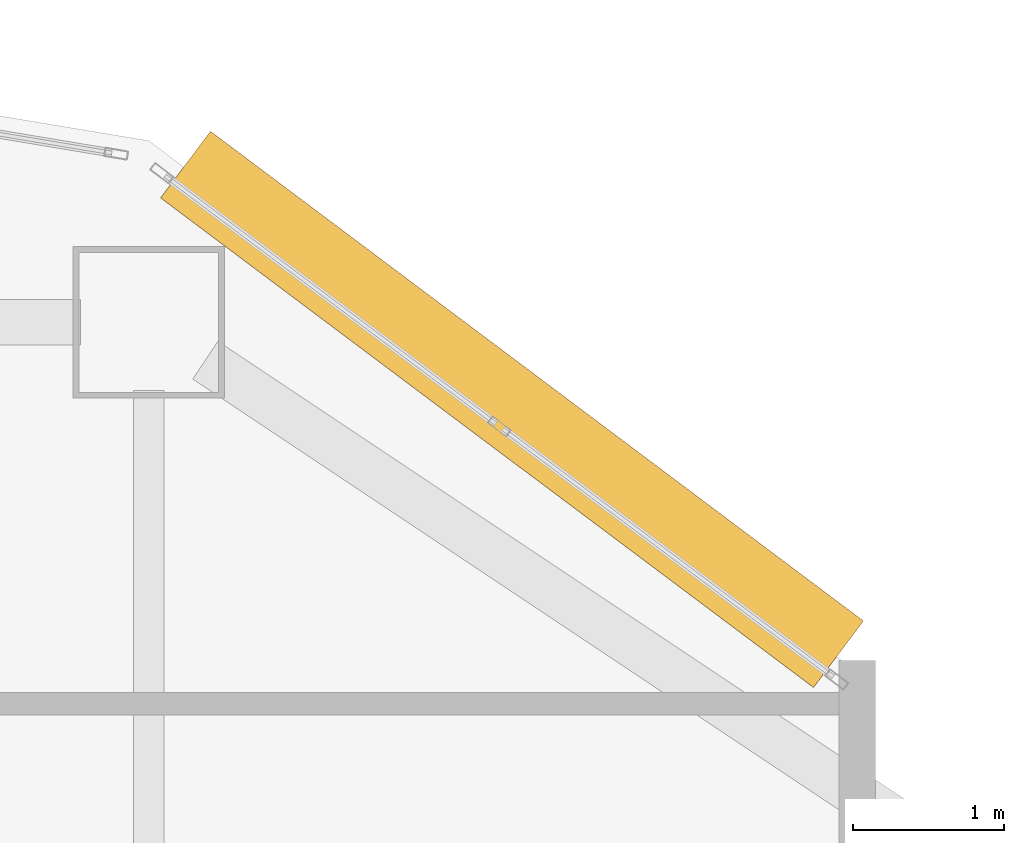
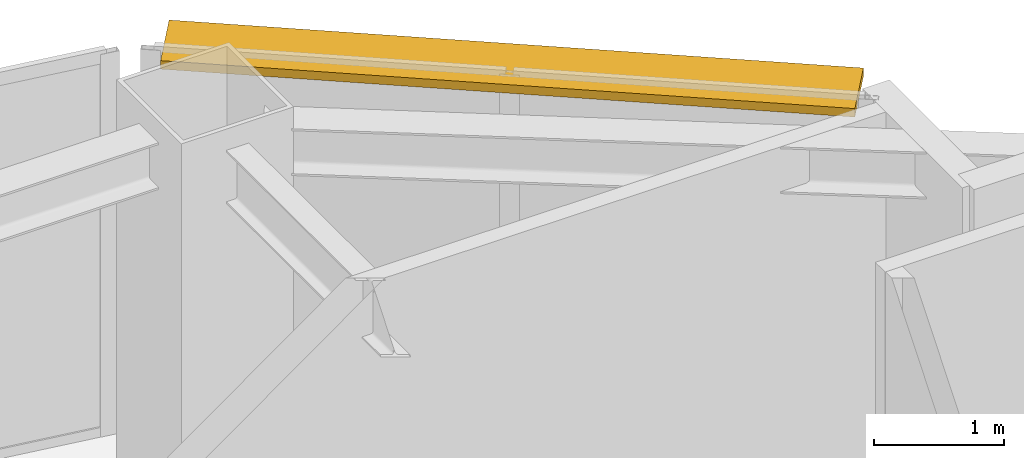
# One storey, part 14 of 14: 1 shading device.
"""IFC4 building model written with IfcOpenShell, lengths in metres."""

from ifc_helpers import new_model, si_unit, direction, frame, origin, origin_2d, place, context, subcontext, project, spatial, rectangle, extrude, material, layer, layer_set, type_object, element, save


model = new_model("IFC4")

# Units and contexts
model_context = context("Model", 3, precision=1e-05, world=origin(), true_north=direction((0.0, 1.0)))
body_context = subcontext(model_context, "Body", "Model", "MODEL_VIEW")
ifc_project = project(units=[si_unit("LENGTHUNIT", "METRE"), si_unit("AREAUNIT", "SQUARE_METRE"), si_unit("VOLUMEUNIT", "CUBIC_METRE"), si_unit("PLANEANGLEUNIT", "RADIAN"), si_unit("MASSUNIT", "GRAM", prefix="KILO")], contexts=[model_context])

# Site, building, storey
site_placement = place(None, origin())
site = spatial("IfcSite", under=ifc_project, at=site_placement, CompositionType="ELEMENT")
building_placement = place(site_placement, origin())
building = spatial("IfcBuilding", under=site, at=building_placement, Name="Haolan Belvedere Tower", CompositionType="ELEMENT")
storey_placement = place(building_placement, frame((0.0, 0.0, 113.60009765625)))
storey = spatial("IfcBuildingStorey", under=building, at=storey_placement, Name="L28", CompositionType="ELEMENT", Elevation=113.60009765625)

# Shading device
ifc_material = material(Name="Anodised champagne-silver aluminium 6063-T6", Category="aluminium")
ifc_layer = layer(ifc_material, 0.080078125, Name="Anodised champagne-silver aluminium 6063-T6")
ifc_layer_set = layer_set([ifc_layer], Name="Anodised champagne-silver aluminium 6063-T6")
shading_device_type = type_object("IfcShadingDeviceType", Name="SHD-SUN-550", PredefinedType="USERDEFINED", material=ifc_layer_set)
shading_device_placement = place(storey_placement, frame((47.999755859375, 49.8251953125, 3.499755859375), z_axis=(0.0, 0.0, 1.0), x_axis=(-0.800009400027, 0.599987466426, 0.0)))
element("IfcShadingDevice", 1, at=shading_device_placement, inside=storey, type_object=shading_device_type, Name="L28 pale-metal horizontal SUNSHADE band 26.1", ObjectType="SUNSHADE", PredefinedType="USERDEFINED", context=body_context, shape_type="SweptSolid", body=[
    extrude(rectangle(XDim=5.390625, YDim=0.550048828125, at=origin_2d()), origin(), (0.0, 0.0, 1.0), 0.080078125),
])

save(model, "model.ifc")
